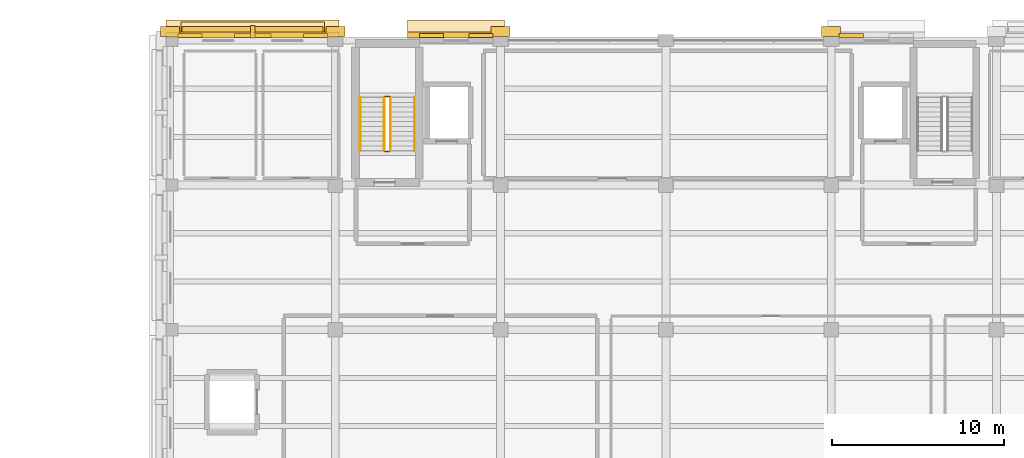
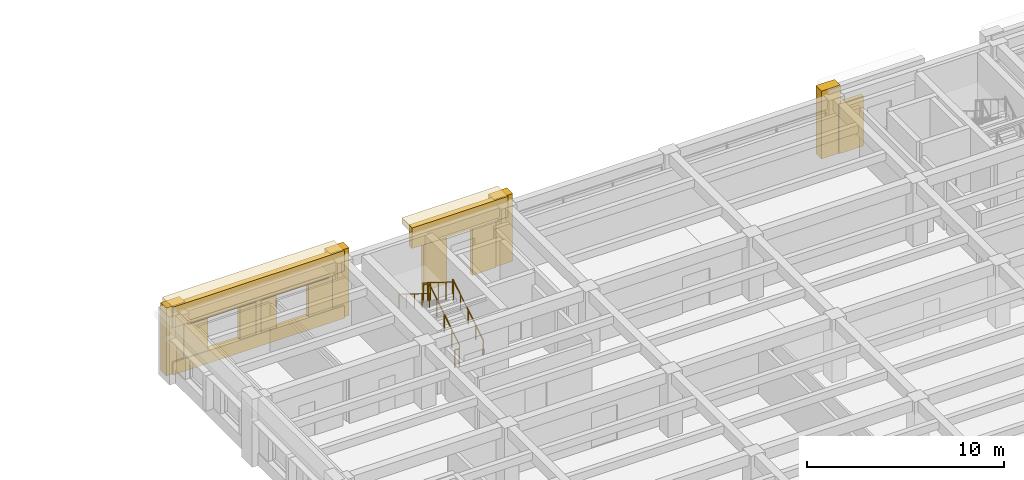
# One storey, part 16 of 17: 17 coverings, 6 railings, 1 shading device.
"""IFC4 building model written with IfcOpenShell, lengths in metres."""

from ifc_helpers import new_model, si_unit, direction, frame, origin, origin_2d, place, context, subcontext, project, spatial, rectangle, circle, extrude, material, layer, layer_set, type_object, element, save


model = new_model("IFC4")

# Units and contexts
model_context = context("Model", 3, precision=1e-05, world=origin(), true_north=direction((0.0, 1.0)))
body_context = subcontext(model_context, "Body", "Model", "MODEL_VIEW")
ifc_project = project(units=[si_unit("LENGTHUNIT", "METRE"), si_unit("AREAUNIT", "SQUARE_METRE"), si_unit("VOLUMEUNIT", "CUBIC_METRE"), si_unit("PLANEANGLEUNIT", "RADIAN"), si_unit("MASSUNIT", "GRAM", prefix="KILO")], contexts=[model_context])

# Site, building, storey
site_placement = place(None, origin())
site = spatial("IfcSite", under=ifc_project, at=site_placement, CompositionType="ELEMENT")
building_placement = place(site_placement, origin())
building = spatial("IfcBuilding", under=site, at=building_placement, Name="Bempovik Park Faculty of Sciences", CompositionType="ELEMENT")
storey_placement = place(building_placement, frame((0.0, 0.0, 22.5)))
storey = spatial("IfcBuildingStorey", under=building, at=storey_placement, Name="L05", CompositionType="ELEMENT", Elevation=22.5)

# Coverings
ifc_material_1 = material(Name="Precast concrete C40/50", Category="concrete")
ifc_layer_1 = layer(ifc_material_1, 0.179931640625)
ifc_layer_set_1 = layer_set([ifc_layer_1], Name="Precast concrete C40/50")
covering_type_1 = type_object("IfcCoveringType", Name="CL-02 Classical Cornice Band 180mm", PredefinedType="CLADDING", material=ifc_layer_set_1)
covering_1_placement = place(storey_placement, frame((64.800048828125, 120.06494140625, 3.83984375), z_axis=(0.0, 0.0, 1.0), x_axis=(1.0, 0.0, 0.0)))
element("IfcCovering", 1, at=covering_1_placement, inside=storey, type_object=covering_type_1, Name="L05 Classical Projecting Dentil Cornice EW-L05-10145", PredefinedType="CLADDING", context=body_context, shape_type="SweptSolid", body=[
    extrude(rectangle(XDim=10.0458984375, YDim=1.050048828125, at=origin_2d()), origin(), (0.0, 0.0, 1.0), 0.360107421875),
])
covering_2_placement = place(storey_placement, frame((64.800048828125, 120.0, 2.85986328125), z_axis=(0.0, 0.0, 1.0), x_axis=(1.0, 0.0, 0.0)))
element("IfcCovering", 2, at=covering_2_placement, inside=storey, type_object=covering_type_1, Name="L05 Classical Stone Solar Window Hood EW-L05-10145", PredefinedType="CLADDING", context=body_context, shape_type="SweptSolid", body=[
    extrude(rectangle(XDim=8.345947265625, YDim=0.919921875, at=origin_2d()), origin(), (0.0, 0.0, 1.0), 0.219970703125),
])
covering_3_placement = place(storey_placement, frame((76.612060546875, 120.06494140625, 3.83984375), z_axis=(0.0, 0.0, 1.0), x_axis=(1.0, 0.0, 0.0)))
element("IfcCovering", 3, at=covering_3_placement, inside=storey, type_object=covering_type_1, Name="L05 Classical Projecting Dentil Cornice EW-L05-10159", PredefinedType="CLADDING", context=body_context, shape_type="SweptSolid", body=[
    extrude(rectangle(XDim=5.6220703125, YDim=1.050048828125, at=origin_2d()), origin(), (0.0, 0.0, 1.0), 0.360107421875),
])
ifc_material_2 = material(Name="White reconstituted limestone precast C40/50", Category="masonry")
ifc_layer_2 = layer(ifc_material_2, 0.239990234375)
ifc_layer_set_2 = layer_set([ifc_layer_2], Name="White reconstituted limestone precast C40/50")
covering_type_2 = type_object("IfcCoveringType", Name="CL-03 Classical Fluted Limestone Pilaster 240mm", PredefinedType="CLADDING", material=ifc_layer_set_2)
covering_4_placement = place(storey_placement, frame((64.800048828125, 119.7099609375, 2.919921875), z_axis=(0.0, 0.0, 1.0), x_axis=(1.0, 0.0, 0.0)))
element("IfcCovering", 4, at=covering_4_placement, inside=storey, type_object=covering_type_2, Name="L05 Classical Limestone Spandrel Entablature EW-L05-10145", PredefinedType="CLADDING", context=body_context, shape_type="SweptSolid", body=[
    extrude(rectangle(XDim=10.0458984375, YDim=0.340087890625, at=origin_2d()), origin(), (0.0, 0.0, 1.0), 1.280029296875),
])
covering_5_placement = place(storey_placement, frame((64.800048828125, 119.7099609375, 0.0), z_axis=(0.0, 0.0, 1.0), x_axis=(1.0, 0.0, 0.0)))
element("IfcCovering", 5, at=covering_5_placement, inside=storey, type_object=covering_type_2, Name="L05 Classical Limestone Sill Dado EW-L05-10145", PredefinedType="CLADDING", context=body_context, shape_type="SweptSolid", body=[
    extrude(rectangle(XDim=10.0458984375, YDim=0.340087890625, at=origin_2d()), origin(), (0.0, 0.0, 1.0), 0.780029296875),
])
for number, where, z_axis, x_axis, name in (
    (6, (60.0, 119.929931640625, 0.0), (0.0, 0.0, 1.0), (1.0, 0.0, 0.0), "L05 Classical Fluted Stone Pilaster PIL-BA-L05-600-1199"),
    (7, (69.60009765625, 119.929931640625, 0.0), (0.0, 0.0, 1.0), (1.0, 0.0, 0.0), "L05 Classical Fluted Stone Pilaster PIL-BA-L05-696-1199"),
):
    element("IfcCovering", number, at=place(storey_placement, frame(where, z_axis=z_axis, x_axis=x_axis)), inside=storey, type_object=covering_type_2, Name=name, PredefinedType="CLADDING", context=body_context, shape_type="SweptSolid", body=[
        extrude(rectangle(XDim=1.10009765625, YDim=0.580078125, at=origin_2d()), origin(), (0.0, 0.0, 1.0), 4.199951171875),
    ])
covering_6_placement = place(storey_placement, frame((61.156005859375, 119.699951171875, 0.0), z_axis=(0.0, 0.0, 1.0), x_axis=(1.0, 0.0, 0.0)))
element("IfcCovering", 8, at=covering_6_placement, inside=storey, type_object=covering_type_2, Name="L05 White Limestone Wall Cheek EW-L05-10145-0", PredefinedType="CLADDING", context=body_context, shape_type="SweptSolid", body=[
    extrude(rectangle(XDim=1.407958984375, YDim=0.239990234375, at=origin_2d()), origin(), (0.0, 0.0, 1.0), 3.080078125),
])
covering_7_placement = place(storey_placement, frame((64.800048828125, 119.699951171875, 0.0), z_axis=(0.0, 0.0, 1.0), x_axis=(1.0, 0.0, 0.0)))
element("IfcCovering", 9, at=covering_7_placement, inside=storey, type_object=covering_type_2, Name="L05 White Limestone Wall Cheek EW-L05-10145-2", PredefinedType="CLADDING", context=body_context, shape_type="SweptSolid", body=[
    extrude(rectangle(XDim=2.1201171875, YDim=0.239990234375, at=origin_2d()), origin(), (0.0, 0.0, 1.0), 3.080078125),
])
covering_8_placement = place(storey_placement, frame((68.444091796875, 119.699951171875, 0.0), z_axis=(0.0, 0.0, 1.0), x_axis=(1.0, 0.0, 0.0)))
element("IfcCovering", 10, at=covering_8_placement, inside=storey, type_object=covering_type_2, Name="L05 White Limestone Wall Cheek EW-L05-10145-4", PredefinedType="CLADDING", context=body_context, shape_type="SweptSolid", body=[
    extrude(rectangle(XDim=1.407958984375, YDim=0.239990234375, at=origin_2d()), origin(), (0.0, 0.0, 1.0), 3.080078125),
])
covering_9_placement = place(storey_placement, frame((64.800048828125, 119.909912109375, 0.7001953125), z_axis=(0.0, 0.0, 1.0), x_axis=(1.0, 0.0, 0.0)))
element("IfcCovering", 11, at=covering_9_placement, inside=storey, type_object=covering_type_2, Name="L05 Classical Vertical Stone Shading Fin EW-L05-10145", PredefinedType="CLADDING", context=body_context, shape_type="SweptSolid", body=[
    extrude(rectangle(XDim=0.280029296875, YDim=0.719970703125, at=origin_2d()), origin(), (0.0, 0.0, 1.0), 2.199951171875),
])
covering_10_placement = place(storey_placement, frame((76.612060546875, 119.7099609375, 2.919921875), z_axis=(0.0, 0.0, 1.0), x_axis=(1.0, 0.0, 0.0)))
element("IfcCovering", 12, at=covering_10_placement, inside=storey, type_object=covering_type_2, Name="L05 Classical Limestone Spandrel Entablature EW-L05-10159", PredefinedType="CLADDING", context=body_context, shape_type="SweptSolid", body=[
    extrude(rectangle(XDim=5.6220703125, YDim=0.340087890625, at=origin_2d()), origin(), (0.0, 0.0, 1.0), 1.280029296875),
])
covering_11_placement = place(storey_placement, frame((79.199951171875, 119.929931640625, 0.0), z_axis=(0.0, 0.0, 1.0), x_axis=(1.0, 0.0, 0.0)))
element("IfcCovering", 13, at=covering_11_placement, inside=storey, type_object=covering_type_2, Name="L05 Classical Fluted Stone Pilaster PIL-BA-L05-792-1199", PredefinedType="CLADDING", context=body_context, shape_type="SweptSolid", body=[
    extrude(rectangle(XDim=1.10009765625, YDim=0.580078125, at=origin_2d()), origin(), (0.0, 0.0, 1.0), 4.199951171875),
])
for number, where, z_axis, x_axis, name in (
    (14, (75.174072265625, 119.699951171875, 0.0), (0.0, 0.0, 1.0), (1.0, 0.0, 0.0), "L05 Stairwell White Limestone Cheek EW-L05-10159-1"),
    (15, (78.050048828125, 119.699951171875, 0.0), (0.0, 0.0, 1.0), (1.0, 0.0, 0.0), "L05 Stairwell White Limestone Cheek EW-L05-10159-2"),
):
    element("IfcCovering", number, at=place(storey_placement, frame(where, z_axis=z_axis, x_axis=x_axis)), inside=storey, type_object=covering_type_2, Name=name, PredefinedType="CLADDING", context=body_context, shape_type="SweptSolid", body=[
        extrude(rectangle(XDim=1.39599609375, YDim=0.239990234375, at=origin_2d()), origin(), (0.0, 0.0, 1.0), 3.080078125),
    ])
covering_12_placement = place(storey_placement, frame((98.39990234375, 119.929931640625, 0.0), z_axis=(0.0, 0.0, 1.0), x_axis=(1.0, 0.0, 0.0)))
element("IfcCovering", 16, at=covering_12_placement, inside=storey, type_object=covering_type_2, Name="L05 Classical Fluted Stone Pilaster PIL-BA-L05-984-1199", PredefinedType="CLADDING", context=body_context, shape_type="SweptSolid", body=[
    extrude(rectangle(XDim=1.10009765625, YDim=0.580078125, at=origin_2d()), origin(), (0.0, 0.0, 1.0), 4.199951171875),
])
covering_13_placement = place(storey_placement, frame((99.5625, 119.699951171875, 0.0), z_axis=(0.0, 0.0, 1.0), x_axis=(1.0, 0.0, 0.0)))
element("IfcCovering", 17, at=covering_13_placement, inside=storey, type_object=covering_type_2, Name="L05 Stairwell White Limestone Cheek EW-L05-10202-1", PredefinedType="CLADDING", context=body_context, shape_type="SweptSolid", body=[
    extrude(rectangle(XDim=1.4208984375, YDim=0.239990234375, at=origin_2d()), origin(), (0.0, 0.0, 1.0), 3.080078125),
])

# Railings
ifc_material_3 = material(Name="Anodised architectural bronze")
railing_type_1 = type_object("IfcRailingType", Name="GR-01 Guardrail 1120mm", PredefinedType="GUARDRAIL", material=ifc_material_3)
railing_1_placement = place(storey_placement, frame((72.800048828125, 113.0, 0.175048828125)))
element("IfcRailing", 18, at=railing_1_placement, inside=storey, type_object=railing_type_1, Name="L05 ST-1 Stair Guard 1", PredefinedType="GUARDRAIL", context=body_context, shape_type="SweptSolid", body=[
    extrude(circle(Radius=0.02392578125, at=origin_2d()), frame((0.0, 0.0, 1.09619140625), z_axis=(0.0, 0.84905059285, 0.528311547082), x_axis=(-1.0, 0.0, 0.0)), (0.0, 0.0, 1.0), 3.643798828125),
    extrude(circle(Radius=0.02099609375, at=origin_2d()), origin(), (0.0, 0.0, 1.0), 1.072021484375),
    extrude(circle(Radius=0.02099609375, at=origin_2d()), frame((0.0, 0.7734375, 0.481201171875)), (0.0, 0.0, 1.0), 1.072021484375),
    extrude(circle(Radius=0.02099609375, at=origin_2d()), frame((0.0, 1.546875, 0.96240234375)), (0.0, 0.0, 1.0), 1.072021484375),
    extrude(circle(Radius=0.02099609375, at=origin_2d()), frame((0.0, 2.3203125, 1.44384765625)), (0.0, 0.0, 1.0), 1.072021484375),
    extrude(circle(Radius=0.02099609375, at=origin_2d()), frame((0.0, 3.09375, 1.925048828125)), (0.0, 0.0, 1.0), 1.072021484375),
])
railing_2_placement = place(storey_placement, frame((72.75, 116.143798828125, 2.10009765625)))
element("IfcRailing", 19, at=railing_2_placement, inside=storey, type_object=railing_type_1, Name="L05 ST-1 Stair Guard 2", PredefinedType="GUARDRAIL", context=body_context, shape_type="SweptSolid", body=[
    extrude(circle(Radius=0.02392578125, at=origin_2d()), frame((0.0, 0.0, 1.09619140625), z_axis=(-1.0, 0.0, 0.0), x_axis=(0.0, -1.0, 0.0)), (0.0, 0.0, 1.0), 0.25),
    extrude(circle(Radius=0.02099609375, at=origin_2d()), origin(), (0.0, 0.0, 1.0), 1.072021484375),
    extrude(circle(Radius=0.02099609375, at=origin_2d()), frame((-0.25, 0.0, 0.0)), (0.0, 0.0, 1.0), 1.072021484375),
])
railing_3_placement = place(storey_placement, frame((72.449951171875, 116.09375, 2.27490234375)))
element("IfcRailing", 20, at=railing_3_placement, inside=storey, type_object=railing_type_1, Name="L05 ST-1 Stair Guard 3", PredefinedType="GUARDRAIL", context=body_context, shape_type="SweptSolid", body=[
    extrude(circle(Radius=0.02392578125, at=origin_2d()), frame((0.0, 0.0, 1.09619140625), z_axis=(0.0, -0.84905059285, 0.528311547082), x_axis=(1.0, 0.0, 0.0)), (0.0, 0.0, 1.0), 3.643798828125),
    extrude(circle(Radius=0.02099609375, at=origin_2d()), origin(), (0.0, 0.0, 1.0), 1.072021484375),
    extrude(circle(Radius=0.02099609375, at=origin_2d()), frame((0.0, -0.7734375, 0.481201171875)), (0.0, 0.0, 1.0), 1.072021484375),
    extrude(circle(Radius=0.02099609375, at=origin_2d()), frame((0.0, -1.546875, 0.96240234375)), (0.0, 0.0, 1.0), 1.072021484375),
    extrude(circle(Radius=0.02099609375, at=origin_2d()), frame((0.0, -2.3203125, 1.44384765625)), (0.0, 0.0, 1.0), 1.072021484375),
    extrude(circle(Radius=0.02099609375, at=origin_2d()), frame((0.0, -3.09375, 1.925048828125)), (0.0, 0.0, 1.0), 1.072021484375),
])
railing_4_placement = place(storey_placement, frame((72.75, 112.949951171875, 0.0)))
element("IfcRailing", 21, at=railing_4_placement, inside=storey, type_object=railing_type_1, Name="L05 ST-1 Stair Guard 4", PredefinedType="GUARDRAIL", context=body_context, shape_type="SweptSolid", body=[
    extrude(circle(Radius=0.02392578125, at=origin_2d()), frame((0.0, 0.0, 1.09619140625), z_axis=(-1.0, 0.0, 0.0), x_axis=(0.0, -1.0, 0.0)), (0.0, 0.0, 1.0), 0.25),
    extrude(circle(Radius=0.02099609375, at=origin_2d()), origin(), (0.0, 0.0, 1.0), 1.072021484375),
    extrude(circle(Radius=0.02099609375, at=origin_2d()), frame((-0.25, 0.0, 0.0)), (0.0, 0.0, 1.0), 1.072021484375),
])
railing_type_2 = type_object("IfcRailingType", Name="HR-01 Wall Handrail 900mm", PredefinedType="HANDRAIL", material=ifc_material_3)
railing_5_placement = place(storey_placement, frame((74.199951171875, 113.0, 0.175048828125)))
element("IfcRailing", 22, at=railing_5_placement, inside=storey, type_object=railing_type_2, Name="L05 ST-1 Stair Handrail 1", PredefinedType="HANDRAIL", context=body_context, shape_type="SweptSolid", body=[
    extrude(circle(Radius=0.02392578125, at=origin_2d()), frame((0.0, 0.0, 0.8759765625), z_axis=(0.0, 0.84905059285, 0.528311547082), x_axis=(-1.0, 0.0, 0.0)), (0.0, 0.0, 1.0), 3.643798828125),
    extrude(circle(Radius=0.02099609375, at=origin_2d()), origin(), (0.0, 0.0, 1.0), 0.851806640625),
    extrude(circle(Radius=0.02099609375, at=origin_2d()), frame((0.0, 0.7734375, 0.481201171875)), (0.0, 0.0, 1.0), 0.851806640625),
    extrude(circle(Radius=0.02099609375, at=origin_2d()), frame((0.0, 1.546875, 0.96240234375)), (0.0, 0.0, 1.0), 0.851806640625),
    extrude(circle(Radius=0.02099609375, at=origin_2d()), frame((0.0, 2.3203125, 1.44384765625)), (0.0, 0.0, 1.0), 0.851806640625),
    extrude(circle(Radius=0.02099609375, at=origin_2d()), frame((0.0, 3.09375, 1.925048828125)), (0.0, 0.0, 1.0), 0.851806640625),
])
railing_6_placement = place(storey_placement, frame((71.050048828125, 116.09375, 2.27490234375)))
element("IfcRailing", 23, at=railing_6_placement, inside=storey, type_object=railing_type_2, Name="L05 ST-1 Stair Handrail 2", PredefinedType="HANDRAIL", context=body_context, shape_type="SweptSolid", body=[
    extrude(circle(Radius=0.02392578125, at=origin_2d()), frame((0.0, 0.0, 0.8759765625), z_axis=(0.0, -0.84905059285, 0.528311547082), x_axis=(1.0, 0.0, 0.0)), (0.0, 0.0, 1.0), 3.643798828125),
    extrude(circle(Radius=0.02099609375, at=origin_2d()), origin(), (0.0, 0.0, 1.0), 0.851806640625),
    extrude(circle(Radius=0.02099609375, at=origin_2d()), frame((0.0, -0.7734375, 0.481201171875)), (0.0, 0.0, 1.0), 0.851806640625),
    extrude(circle(Radius=0.02099609375, at=origin_2d()), frame((0.0, -1.546875, 0.96240234375)), (0.0, 0.0, 1.0), 0.851806640625),
    extrude(circle(Radius=0.02099609375, at=origin_2d()), frame((0.0, -2.3203125, 1.44384765625)), (0.0, 0.0, 1.0), 0.851806640625),
    extrude(circle(Radius=0.02099609375, at=origin_2d()), frame((0.0, -3.09375, 1.925048828125)), (0.0, 0.0, 1.0), 0.851806640625),
])

# Shading device
ifc_layer_3 = layer(ifc_material_3, 0.06005859375)
ifc_layer_set_3 = layer_set([ifc_layer_3], Name="Anodised architectural bronze")
shading_device_type = type_object("IfcShadingDeviceType", Name="SH-01 Bronze Brise-Soleil Fin", PredefinedType="USERDEFINED", material=ifc_layer_set_3)
shading_device_placement = place(storey_placement, frame((64.800048828125, 119.8798828125, 2.800048828125), z_axis=(0.0, 0.0, 1.0), x_axis=(1.0, 0.0, 0.0)))
element("IfcShadingDevice", 24, at=shading_device_placement, inside=storey, type_object=shading_device_type, Name="L05 Equatorial Bronze Brise-Soleil EW-L05-10145", ObjectType="BRISE SOLEIL", PredefinedType="USERDEFINED", context=body_context, shape_type="SweptSolid", body=[
    extrude(rectangle(XDim=8.196044921875, YDim=0.64990234375, at=origin_2d()), origin(), (0.0, 0.0, 1.0), 0.06005859375),
])

save(model, "model.ifc")
